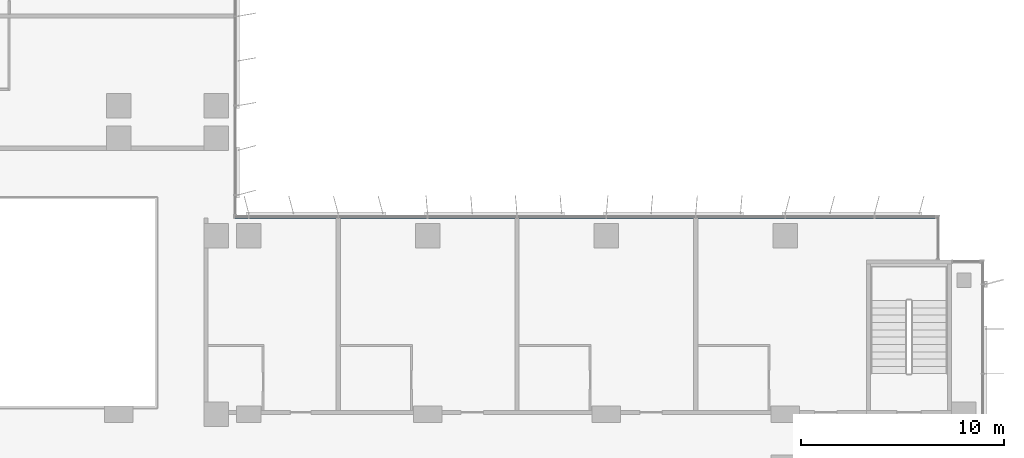
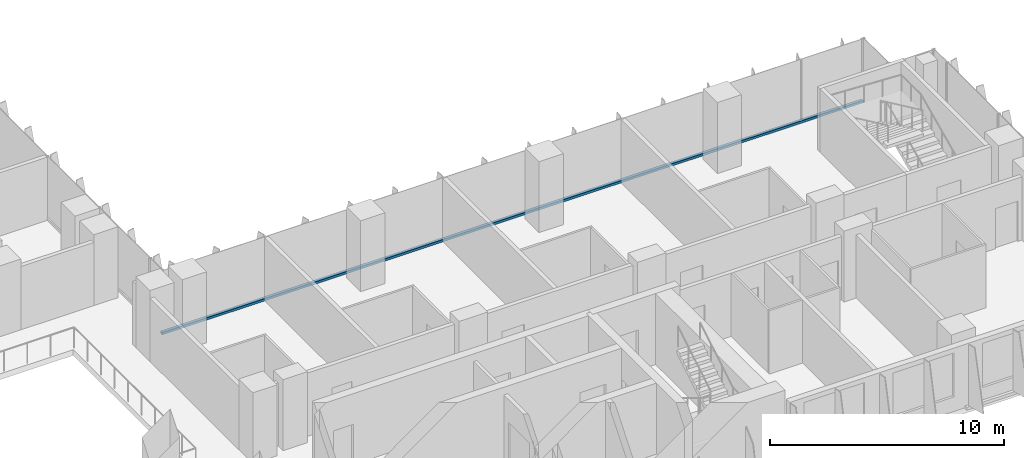
# One storey, part 3 of 22: 1 member, 1 element without a shape of its own.
"""IFC4 building model written with IfcOpenShell, lengths in metres."""

from ifc_helpers import new_model, si_unit, direction, frame, origin, origin_2d, place, context, subcontext, project, spatial, rectangle, extrude, material, material_profile, profile_set, type_object, element, aggregate, save


model = new_model("IFC4")

# Units and contexts
model_context = context("Model", 3, precision=1e-05, world=origin(), true_north=direction((0.0, 1.0)))
body_context = subcontext(model_context, "Body", "Model", "MODEL_VIEW")
ifc_project = project(units=[si_unit("LENGTHUNIT", "METRE"), si_unit("AREAUNIT", "SQUARE_METRE"), si_unit("VOLUMEUNIT", "CUBIC_METRE"), si_unit("PLANEANGLEUNIT", "RADIAN"), si_unit("MASSUNIT", "GRAM", prefix="KILO")], contexts=[model_context])

# Site, building, storey
site_placement = place(None, origin())
site = spatial("IfcSite", under=ifc_project, at=site_placement, CompositionType="ELEMENT")
building_placement = place(site_placement, origin())
building = spatial("IfcBuilding", under=site, at=building_placement, Name="Kemantara Hotel Tower", CompositionType="ELEMENT")
storey_placement = place(building_placement, frame((0.0, 0.0, 98.199951171875)))
storey = spatial("IfcBuildingStorey", under=building, at=storey_placement, Name="L23", CompositionType="ELEMENT", Elevation=98.199951171875)

# Curtain wall, member
ifc_material_1 = material(Name="Low-E tinted double insulated glass 36 mm", Category="glass")
curtain_wall_type = type_object("IfcCurtainWallType", Name="TOWER CURTAIN WALL, FRONT FACES", PredefinedType="USERDEFINED", material=ifc_material_1)
curtain_wall_placement = place(storey_placement, origin())
curtain_wall = element("IfcCurtainWall", 1, at=curtain_wall_placement, inside=storey, type_object=curtain_wall_type, Name="CW4 L23 T2-R13-1", ObjectType="TOWER CURTAIN WALL, FRONT FACES", PredefinedType="USERDEFINED")
ifc_material_2 = material(Name="Aluminium 6063-T6 bronze anodised", Category="aluminium")
ifc_material_profile = material_profile(ifc_material_2, rectangle(XDim=0.14990234375, YDim=0.1201171875, at=origin_2d()), Name="TOWER CURTAIN WALL, FRONT FACES TRANSOM")
ifc_profile_set = profile_set([ifc_material_profile], Name="Aluminium 6063-T6 bronze anodised")
member_type = type_object("IfcMemberType", Name="TOWER CURTAIN WALL, FRONT FACES TRANSOM", PredefinedType="USERDEFINED", material=ifc_profile_set)
member_placement = place(storey_placement, frame((61.25, 21.925048828125, 0.06005859375), z_axis=(-1.0, 0.0, 0.0), x_axis=(0.0, -1.0, 0.0)))
member = element("IfcMember", 2, at=member_placement, type_object=member_type, Name="CW4 sill transom T2-R13-1", ObjectType="TRANSOM", PredefinedType="USERDEFINED", context=body_context, shape_type="SweptSolid", body=[
    extrude(rectangle(XDim=0.14990234375, YDim=0.1201171875, at=origin_2d()), origin(), (0.0, 0.0, 1.0), 34.60009765625),
])
aggregate(curtain_wall, [member])

save(model, "model.ifc")
